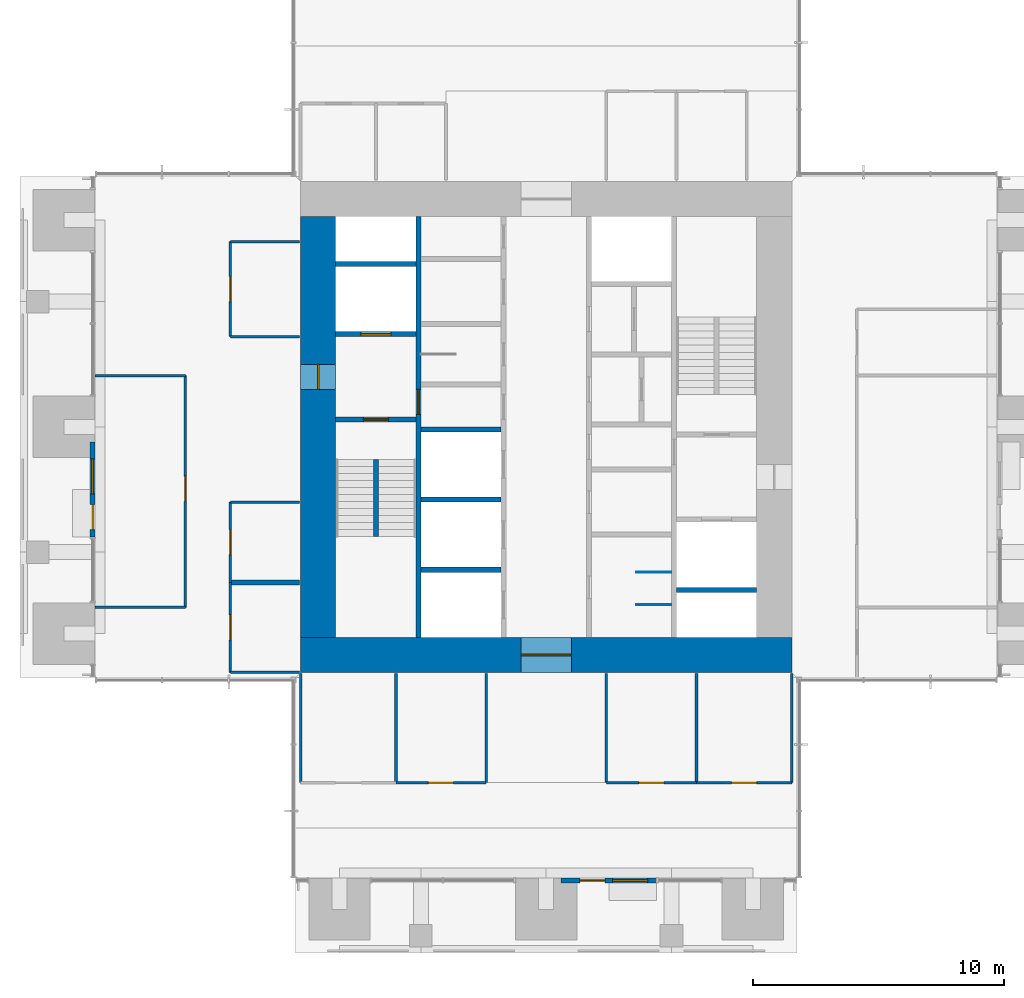
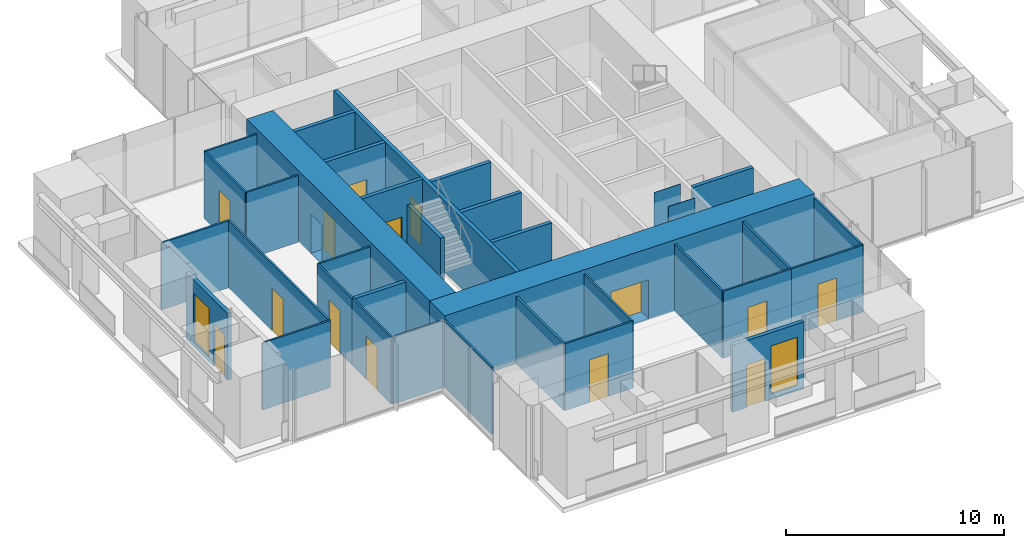
# One storey, part 12 of 17: 35 walls, 14 doors, 2 windows, 16 openings.
"""IFC4 building model written with IfcOpenShell, lengths in metres."""

from ifc_helpers import new_model, si_unit, direction, frame, frame_2d, origin, place, context, subcontext, project, spatial, rectangle, extrude, material, layer, layer_set, type_object, element, fill, save


model = new_model("IFC4")

# Units and contexts
model_context = context("Model", 3, precision=1e-05, world=origin(), true_north=direction((0.0, 1.0)))
body_context = subcontext(model_context, "Body", "Model", "MODEL_VIEW")
ifc_project = project(units=[si_unit("LENGTHUNIT", "METRE"), si_unit("AREAUNIT", "SQUARE_METRE"), si_unit("VOLUMEUNIT", "CUBIC_METRE"), si_unit("PLANEANGLEUNIT", "RADIAN"), si_unit("MASSUNIT", "GRAM", prefix="KILO")], contexts=[model_context])

# Site, building, storey
site_placement = place(None, origin())
site = spatial("IfcSite", under=ifc_project, at=site_placement, CompositionType="ELEMENT")
building_placement = place(site_placement, origin())
building = spatial("IfcBuilding", under=site, at=building_placement, Name="Svetlomir Tower", CompositionType="ELEMENT")
storey_placement = place(building_placement, frame((0.0, 0.0, 202.5)))
storey = spatial("IfcBuildingStorey", under=building, at=storey_placement, Name="L48", CompositionType="ELEMENT", Elevation=202.5)

# Wall
ifc_material_1 = material(Name="Gypsum board on twin steel studs", Category="steel")
ifc_layer_1 = layer(ifc_material_1, 0.199951171875)
ifc_layer_set_1 = layer_set([ifc_layer_1], Name="Gypsum board on twin steel studs")
wall_type_1 = type_object("IfcWallType", Name="ACOUSTIC PARTITION 200", PredefinedType="PARTITIONING", material=ifc_layer_set_1)
wall_1_placement = place(storey_placement, frame((8.39990234375, 14.800048828125, 0.0), z_axis=(0.0, 0.0, 1.0), x_axis=(1.0, 0.0, 0.0)))
element("IfcWall", 1, at=wall_1_placement, inside=storey, type_object=wall_type_1, Name="Acoustic partition L48", PredefinedType="PARTITIONING", context=body_context, shape_type="SweptSolid", body=[
    extrude(rectangle(XDim=2.75, YDim=0.199951171875, at=frame_2d((1.375, 0.0))), origin(), (0.0, 0.0, 1.0), 3.75),
])

# Wall, openings, door, window
ifc_material_2 = material(Name="Bronze anodised aluminium glazed screen", Category="aluminium")
ifc_layer_2 = layer(ifc_material_2, 0.199951171875)
ifc_layer_set_2 = layer_set([ifc_layer_2], Name="Bronze anodised aluminium glazed screen")
wall_type_2 = type_object("IfcWallType", Name="BALCONY SCREEN WALL 200", PredefinedType="USERDEFINED", material=ifc_layer_set_2)
wall_2_placement = place(storey_placement, frame((21.60009765625, 2.89990234375, 0.0), z_axis=(0.0, 0.0, 1.0), x_axis=(1.0, 0.0, 0.0)))
wall_2 = element("IfcWall", 2, at=wall_2_placement, inside=storey, type_object=wall_type_2, Name="Balcony screen S", ObjectType="GLAZED SCREEN", PredefinedType="USERDEFINED", context=body_context, shape_type="SweptSolid", body=[
    extrude(rectangle(XDim=3.7998046875, YDim=0.199951171875, at=frame_2d((1.89990234375, 0.0))), origin(), (0.0, 0.0, 1.0), 3.75),
])
opening_1_placement = place(wall_2_placement, frame((0.75, 0.0, 0.0)))
opening_1 = element("IfcOpeningElement", 3, at=opening_1_placement, cuts=wall_2, Name="Opening BD", PredefinedType="OPENING", context=body_context, shape_type="SweptSolid", body=[
    extrude(rectangle(XDim=1.0, YDim=2.39990234375, at=frame_2d((0.5, 1.199951171875))), frame((0.0, 0.10986328125, 0.0), z_axis=(0.0, -1.0, 0.0), x_axis=(1.0, 0.0, 0.0)), (0.0, 0.0, 1.0), 0.219970703125),
])
opening_2_placement = place(wall_2_placement, frame((2.050048828125, 0.0, 0.300048828125)))
opening_2 = element("IfcOpeningElement", 4, at=opening_2_placement, cuts=wall_2, Name="Opening WS2", PredefinedType="OPENING", context=body_context, shape_type="SweptSolid", body=[
    extrude(rectangle(XDim=1.39990234375, YDim=2.699951171875, at=frame_2d((0.699951171875, 1.35009765625))), frame((0.0, 0.10986328125, 0.0), z_axis=(0.0, -1.0, 0.0), x_axis=(1.0, 0.0, 0.0)), (0.0, 0.0, 1.0), 0.219970703125),
])
ifc_material_3 = material(Name="Bronze anodised aluminium glazed door", Category="aluminium")
door_type_1 = type_object("IfcDoorType", Name="BALCONY DOOR BD 1000x2400", OperationType="SINGLE_SWING_LEFT", PredefinedType="DOOR", material=ifc_material_3)
door_1_placement = place(opening_1_placement, origin())
door_1 = element("IfcDoor", 5, at=door_1_placement, inside=storey, type_object=door_type_1, Name="Balcony screen S door", OperationType="SINGLE_SWING_LEFT", OverallHeight=2.39990234375, OverallWidth=1.0, PredefinedType="DOOR", context=body_context, shape_type="SweptSolid", body=[
    extrude(rectangle(XDim=1.0, YDim=2.39990234375, at=frame_2d((0.5, 1.199951171875))), frame((0.0, 0.02490234375, 0.0), z_axis=(0.0, -1.0, 0.0), x_axis=(1.0, 0.0, 0.0)), (0.0, 0.0, 1.0), 0.050048828125),
])
fill(opening_1, door_1)
ifc_material_4 = material(Name="Bronze anodised aluminium window", Category="aluminium")
window_type = type_object("IfcWindowType", Name="SCREEN WINDOW WS2 1400x2700", PartitioningType="SINGLE_PANEL", PredefinedType="WINDOW", material=ifc_material_4)
window_1_placement = place(opening_2_placement, origin())
window_1 = element("IfcWindow", 6, at=window_1_placement, inside=storey, type_object=window_type, Name="Balcony screen S window 1", OverallHeight=2.699951171875, OverallWidth=1.39990234375, PartitioningType="SINGLE_PANEL", PredefinedType="WINDOW", context=body_context, shape_type="SweptSolid", body=[
    extrude(rectangle(XDim=1.39990234375, YDim=2.699951171875, at=frame_2d((0.699951171875, 1.35009765625))), frame((0.0, 0.030029296875, 0.0), z_axis=(0.0, -1.0, 0.0), x_axis=(1.0, 0.0, 0.0)), (0.0, 0.0, 1.0), 0.06005859375),
])
fill(opening_2, window_1)

wall_3_placement = place(storey_placement, frame((2.89990234375, 20.39990234375, 0.0), z_axis=(0.0, 0.0, 1.0), x_axis=(0.0, -1.0, 0.0)))
wall_3 = element("IfcWall", 7, at=wall_3_placement, inside=storey, type_object=wall_type_2, Name="Balcony screen W", ObjectType="GLAZED SCREEN", PredefinedType="USERDEFINED", context=body_context, shape_type="SweptSolid", body=[
    extrude(rectangle(XDim=3.7998046875, YDim=0.199951171875, at=frame_2d((1.89990234375, 0.0))), origin(), (0.0, 0.0, 1.0), 3.75),
])
opening_3_placement = place(wall_3_placement, frame((2.5, 0.0, 0.0)))
opening_3 = element("IfcOpeningElement", 8, at=opening_3_placement, cuts=wall_3, Name="Opening BD", PredefinedType="OPENING", context=body_context, shape_type="SweptSolid", body=[
    extrude(rectangle(XDim=1.0, YDim=2.39990234375, at=frame_2d((0.5, 1.199951171875))), frame((0.0, 0.10986328125, 0.0), z_axis=(0.0, -1.0, 0.0), x_axis=(1.0, 0.0, 0.0)), (0.0, 0.0, 1.0), 0.219970703125),
])
opening_4_placement = place(wall_3_placement, frame((0.675048828125, 0.0, 0.300048828125)))
opening_4 = element("IfcOpeningElement", 9, at=opening_4_placement, cuts=wall_3, Name="Opening WS2", PredefinedType="OPENING", context=body_context, shape_type="SweptSolid", body=[
    extrude(rectangle(XDim=1.39990234375, YDim=2.699951171875, at=frame_2d((0.699951171875, 1.35009765625))), frame((0.0, 0.10986328125, 0.0), z_axis=(0.0, -1.0, 0.0), x_axis=(1.0, 0.0, 0.0)), (0.0, 0.0, 1.0), 0.219970703125),
])
door_2_placement = place(opening_3_placement, origin())
door_2 = element("IfcDoor", 10, at=door_2_placement, inside=storey, type_object=door_type_1, Name="Balcony screen W door", OperationType="SINGLE_SWING_LEFT", OverallHeight=2.39990234375, OverallWidth=1.0, PredefinedType="DOOR", context=body_context, shape_type="SweptSolid", body=[
    extrude(rectangle(XDim=1.0, YDim=2.39990234375, at=frame_2d((0.5, 1.199951171875))), frame((0.0, 0.02490234375, 0.0), z_axis=(0.0, -1.0, 0.0), x_axis=(1.0, 0.0, 0.0)), (0.0, 0.0, 1.0), 0.050048828125),
])
fill(opening_3, door_2)
window_2_placement = place(opening_4_placement, origin())
window_2 = element("IfcWindow", 11, at=window_2_placement, inside=storey, type_object=window_type, Name="Balcony screen W window 1", OverallHeight=2.699951171875, OverallWidth=1.39990234375, PartitioningType="SINGLE_PANEL", PredefinedType="WINDOW", context=body_context, shape_type="SweptSolid", body=[
    extrude(rectangle(XDim=1.39990234375, YDim=2.699951171875, at=frame_2d((0.699951171875, 1.35009765625))), frame((0.0, 0.030029296875, 0.0), z_axis=(0.0, -1.0, 0.0), x_axis=(1.0, 0.0, 0.0)), (0.0, 0.0, 1.0), 0.06005859375),
])
fill(opening_4, window_2)

# Wall, opening, door
ifc_material_5 = material(Name="Concrete C60/75", Category="concrete")
ifc_layer_3 = layer(ifc_material_5, 0.199951171875)
ifc_layer_set_3 = layer_set([ifc_layer_3], Name="Concrete C60/75")
wall_type_3 = type_object("IfcWallType", Name="CORE INNER WALL 200", PredefinedType="SHEAR", material=ifc_layer_set_3)
wall_4_placement = place(storey_placement, frame((15.89990234375, 12.60009765625, -0.050048828125), z_axis=(0.0, 0.0, 1.0), x_axis=(0.0, 1.0, 0.0)))
wall_4 = element("IfcWall", 12, at=wall_4_placement, inside=storey, type_object=wall_type_3, Name="Core inner wall 15.9 L48", PredefinedType="SHEAR", context=body_context, shape_type="SweptSolid", body=[
    extrude(rectangle(XDim=16.7998046875, YDim=0.199951171875, at=frame_2d((8.39990234375, 0.0))), origin(), (0.0, 0.0, 1.0), 4.0),
])
opening_5_placement = place(wall_4_placement, frame((8.89990234375, 0.0, 0.050048828125)))
opening_5 = element("IfcOpeningElement", 13, at=opening_5_placement, cuts=wall_4, Name="Opening DF", PredefinedType="OPENING", context=body_context, shape_type="SweptSolid", body=[
    extrude(rectangle(XDim=1.0, YDim=2.199951171875, at=frame_2d((0.5, 1.10009765625))), frame((0.0, 0.10986328125, 0.0), z_axis=(0.0, -1.0, 0.0), x_axis=(1.0, 0.0, 0.0)), (0.0, 0.0, 1.0), 0.219970703125),
])
ifc_material_6 = material(Name="Steel fire door", Category="steel")
door_type_2 = type_object("IfcDoorType", Name="DOOR DF 1000x2200", OperationType="SINGLE_SWING_LEFT", PredefinedType="DOOR", material=ifc_material_6)
door_3_placement = place(opening_5_placement, origin())
door_3 = element("IfcDoor", 14, at=door_3_placement, inside=storey, type_object=door_type_2, Name="Core corridor west door L48", OperationType="SINGLE_SWING_LEFT", OverallHeight=2.199951171875, OverallWidth=1.0, PredefinedType="DOOR", context=body_context, shape_type="SweptSolid", body=[
    extrude(rectangle(XDim=1.0, YDim=2.199951171875, at=frame_2d((0.5, 1.10009765625))), frame((0.0, 0.02490234375, 0.0), z_axis=(0.0, -1.0, 0.0), x_axis=(1.0, 0.0, 0.0)), (0.0, 0.0, 1.0), 0.050048828125),
])
fill(opening_5, door_3)

wall_5_placement = place(storey_placement, frame((12.60009765625, 21.300048828125, -0.050048828125), z_axis=(0.0, 0.0, 1.0), x_axis=(1.0, 0.0, 0.0)))
wall_5 = element("IfcWall", 15, at=wall_5_placement, inside=storey, type_object=wall_type_3, Name="Core inner wall 12.6-15.8/21.3 L48", PredefinedType="SHEAR", context=body_context, shape_type="SweptSolid", body=[
    extrude(rectangle(XDim=3.199951171875, YDim=0.199951171875, at=frame_2d((1.60009765625, 0.0))), origin(), (0.0, 0.0, 1.0), 4.0),
])
opening_6_placement = place(wall_5_placement, frame((1.10009765625, 0.0, 0.050048828125)))
opening_6 = element("IfcOpeningElement", 16, at=opening_6_placement, cuts=wall_5, Name="Opening DF", PredefinedType="OPENING", context=body_context, shape_type="SweptSolid", body=[
    extrude(rectangle(XDim=1.0, YDim=2.199951171875, at=frame_2d((0.5, 1.10009765625))), frame((0.0, 0.10986328125, 0.0), z_axis=(0.0, -1.0, 0.0), x_axis=(1.0, 0.0, 0.0)), (0.0, 0.0, 1.0), 0.219970703125),
])
door_4_placement = place(opening_6_placement, origin())
door_4 = element("IfcDoor", 17, at=door_4_placement, inside=storey, type_object=door_type_2, Name="Stair S1 door L48", OperationType="SINGLE_SWING_LEFT", OverallHeight=2.199951171875, OverallWidth=1.0, PredefinedType="DOOR", context=body_context, shape_type="SweptSolid", body=[
    extrude(rectangle(XDim=1.0, YDim=2.199951171875, at=frame_2d((0.5, 1.10009765625))), frame((0.0, 0.02490234375, 0.0), z_axis=(0.0, -1.0, 0.0), x_axis=(1.0, 0.0, 0.0)), (0.0, 0.0, 1.0), 0.050048828125),
])
fill(opening_6, door_4)

wall_6_placement = place(storey_placement, frame((12.60009765625, 24.699951171875, -0.050048828125), z_axis=(0.0, 0.0, 1.0), x_axis=(1.0, 0.0, 0.0)))
wall_6 = element("IfcWall", 18, at=wall_6_placement, inside=storey, type_object=wall_type_3, Name="Core inner wall 12.6-15.8/24.7 L48", PredefinedType="SHEAR", context=body_context, shape_type="SweptSolid", body=[
    extrude(rectangle(XDim=3.199951171875, YDim=0.199951171875, at=frame_2d((1.60009765625, 0.0))), origin(), (0.0, 0.0, 1.0), 4.0),
])
opening_7_placement = place(wall_6_placement, frame((1.0, 0.0, 0.050048828125)))
opening_7 = element("IfcOpeningElement", 19, at=opening_7_placement, cuts=wall_6, Name="Opening LD3", PredefinedType="OPENING", context=body_context, shape_type="SweptSolid", body=[
    extrude(rectangle(XDim=1.199951171875, YDim=2.199951171875, at=frame_2d((0.60009765625, 1.10009765625))), frame((0.0, 0.10986328125, 0.0), z_axis=(0.0, -1.0, 0.0), x_axis=(1.0, 0.0, 0.0)), (0.0, 0.0, 1.0), 0.219970703125),
])
ifc_material_7 = material(Name="Stainless steel fire-rated landing door", Category="steel")
door_type_3 = type_object("IfcDoorType", Name="FIREFIGHTING LIFT LANDING DOOR LD3 1200x2200", OperationType="DOUBLE_DOOR_SLIDING", PredefinedType="DOOR", material=ifc_material_7)
door_5_placement = place(opening_7_placement, origin())
door_5 = element("IfcDoor", 20, at=door_5_placement, inside=storey, type_object=door_type_3, Name="Landing door lift FL1 L48", OperationType="DOUBLE_DOOR_SLIDING", OverallHeight=2.199951171875, OverallWidth=1.199951171875, PredefinedType="DOOR", context=body_context, shape_type="SweptSolid", body=[
    extrude(rectangle(XDim=1.199951171875, YDim=2.199951171875, at=frame_2d((0.60009765625, 1.10009765625))), frame((0.0, 0.02490234375, 0.0), z_axis=(0.0, -1.0, 0.0), x_axis=(1.0, 0.0, 0.0)), (0.0, 0.0, 1.0), 0.050048828125),
])
fill(opening_7, door_5)

# Walls
for number, where, z_axis, x_axis, name in (
    (21, (12.60009765625, 27.5, -0.050048828125), (0.0, 0.0, 1.0), (1.0, 0.0, 0.0), "Core inner wall 12.6-15.8/27.5 L48"),
    (22, (16.0, 15.300048828125, -0.050048828125), (0.0, 0.0, 1.0), (1.0, 0.0, 0.0), "Core inner wall 16-19.2/15.3 L48"),
    (23, (16.0, 18.10009765625, -0.050048828125), (0.0, 0.0, 1.0), (1.0, 0.0, 0.0), "Core inner wall 16-19.2/18.1 L48"),
    (24, (16.0, 20.89990234375, -0.050048828125), (0.0, 0.0, 1.0), (1.0, 0.0, 0.0), "Core inner wall 16-19.2/20.9 L48"),
    (25, (26.199951171875, 14.5, -0.050048828125), (0.0, 0.0, 1.0), (1.0, 0.0, 0.0), "Core inner wall 26.2-29.4/14.5 L48"),
):
    element("IfcWall", number, at=place(storey_placement, frame(where, z_axis=z_axis, x_axis=x_axis)), inside=storey, type_object=wall_type_3, Name=name, PredefinedType="SHEAR", context=body_context, shape_type="SweptSolid", body=[
        extrude(rectangle(XDim=3.199951171875, YDim=0.199951171875, at=frame_2d((1.60009765625, 0.0))), origin(), (0.0, 0.0, 1.0), 4.0),
    ])

# Wall, opening, door
ifc_material_8 = material(Name="Concrete C60/75", Category="concrete")
ifc_layer_4 = layer(ifc_material_8, 1.39990234375)
ifc_layer_set_4 = layer_set([ifc_layer_4], Name="Concrete C60/75")
wall_type_4 = type_object("IfcWallType", Name="CORE WALL 1400", PredefinedType="SHEAR", material=ifc_layer_set_4)
wall_7_placement = place(storey_placement, frame((11.199951171875, 11.89990234375, -0.050048828125), z_axis=(0.0, 0.0, 1.0), x_axis=(1.0, 0.0, 0.0)))
wall_7 = element("IfcWall", 26, at=wall_7_placement, inside=storey, type_object=wall_type_4, Name="Core wall south L48", PredefinedType="SHEAR", context=body_context, shape_type="SweptSolid", body=[
    extrude(rectangle(XDim=19.60009765625, YDim=1.39990234375, at=frame_2d((9.800048828125, 0.0))), origin(), (0.0, 0.0, 1.0), 4.0),
])
opening_8_placement = place(wall_7_placement, frame((8.800048828125, 0.0, 0.050048828125)))
opening_8 = element("IfcOpeningElement", 27, at=opening_8_placement, cuts=wall_7, Name="Opening DL", PredefinedType="OPENING", context=body_context, shape_type="SweptSolid", body=[
    extrude(rectangle(XDim=2.0, YDim=2.199951171875, at=frame_2d((1.0, 1.10009765625))), frame((0.0, 0.7099609375, 0.0), z_axis=(0.0, -1.0, 0.0), x_axis=(1.0, 0.0, 0.0)), (0.0, 0.0, 1.0), 1.419921875),
])
ifc_material_9 = material(Name="Steel fire door", Category="steel")
door_type_4 = type_object("IfcDoorType", Name="DOOR DL 2000x2200", OperationType="DOUBLE_DOOR_SINGLE_SWING", PredefinedType="DOOR", material=ifc_material_9)
door_6_placement = place(opening_8_placement, origin())
door_6 = element("IfcDoor", 28, at=door_6_placement, inside=storey, type_object=door_type_4, Name="Lift lobby south door L48", OperationType="DOUBLE_DOOR_SINGLE_SWING", OverallHeight=2.199951171875, OverallWidth=2.0, PredefinedType="DOOR", context=body_context, shape_type="SweptSolid", body=[
    extrude(rectangle(XDim=2.0, YDim=2.199951171875, at=frame_2d((1.0, 1.10009765625))), frame((0.0, 0.02490234375, 0.0), z_axis=(0.0, -1.0, 0.0), x_axis=(1.0, 0.0, 0.0)), (0.0, 0.0, 1.0), 0.050048828125),
])
fill(opening_8, door_6)

wall_8_placement = place(storey_placement, frame((11.89990234375, 12.60009765625, -0.050048828125), z_axis=(0.0, 0.0, 1.0), x_axis=(0.0, 1.0, 0.0)))
wall_8 = element("IfcWall", 29, at=wall_8_placement, inside=storey, type_object=wall_type_4, Name="Core wall west L48", PredefinedType="SHEAR", context=body_context, shape_type="SweptSolid", body=[
    extrude(rectangle(XDim=16.7998046875, YDim=1.39990234375, at=frame_2d((8.39990234375, 0.0))), origin(), (0.0, 0.0, 1.0), 4.0),
])
opening_9_placement = place(wall_8_placement, frame((9.89990234375, 0.0, 0.050048828125)))
opening_9 = element("IfcOpeningElement", 30, at=opening_9_placement, cuts=wall_8, Name="Opening DF", PredefinedType="OPENING", context=body_context, shape_type="SweptSolid", body=[
    extrude(rectangle(XDim=1.0, YDim=2.199951171875, at=frame_2d((0.5, 1.10009765625))), frame((0.0, 0.7099609375, 0.0), z_axis=(0.0, -1.0, 0.0), x_axis=(1.0, 0.0, 0.0)), (0.0, 0.0, 1.0), 1.419921875),
])
door_7_placement = place(opening_9_placement, origin())
door_7 = element("IfcDoor", 31, at=door_7_placement, inside=storey, type_object=door_type_2, Name="Firefighting lobby west door L48", OperationType="SINGLE_SWING_LEFT", OverallHeight=2.199951171875, OverallWidth=1.0, PredefinedType="DOOR", context=body_context, shape_type="SweptSolid", body=[
    extrude(rectangle(XDim=1.0, YDim=2.199951171875, at=frame_2d((0.5, 1.10009765625))), frame((0.0, 0.02490234375, 0.0), z_axis=(0.0, -1.0, 0.0), x_axis=(1.0, 0.0, 0.0)), (0.0, 0.0, 1.0), 0.050048828125),
])
fill(opening_9, door_7)

# Walls
ifc_material_10 = material(Name="Framed laminated glass partition", Category="glass")
ifc_layer_5 = layer(ifc_material_10, 0.10009765625)
ifc_layer_set_5 = layer_set([ifc_layer_5], Name="Framed laminated glass partition")
wall_type_5 = type_object("IfcWallType", Name="GLAZED PARTITION 100", PredefinedType="PARTITIONING", material=ifc_layer_set_5)
for number, where, z_axis, x_axis, name in (
    (32, (3.0, 13.800048828125, 0.0), (0.0, 0.0, 1.0), (1.0, 0.0, 0.0), "Glazed partition L48"),
    (33, (3.0, 23.050048828125, 0.0), (0.0, 0.0, 1.0), (1.0, 0.0, 0.0), "Glazed partition L48"),
):
    element("IfcWall", number, at=place(storey_placement, frame(where, z_axis=z_axis, x_axis=x_axis)), inside=storey, type_object=wall_type_5, Name=name, PredefinedType="PARTITIONING", context=body_context, shape_type="SweptSolid", body=[
        extrude(rectangle(XDim=3.60009765625, YDim=0.10009765625, at=frame_2d((1.800048828125, 0.0))), origin(), (0.0, 0.0, 1.0), 3.75),
    ])

# Wall, opening, door
wall_9_placement = place(storey_placement, frame((6.60009765625, 13.800048828125, 0.0), z_axis=(0.0, 0.0, 1.0), x_axis=(0.0, 1.0, 0.0)))
wall_9 = element("IfcWall", 34, at=wall_9_placement, inside=storey, type_object=wall_type_5, Name="Glazed partition L48", PredefinedType="PARTITIONING", context=body_context, shape_type="SweptSolid", body=[
    extrude(rectangle(XDim=9.25, YDim=0.10009765625, at=frame_2d((4.625, 0.0))), origin(), (0.0, 0.0, 1.0), 3.75),
])
opening_10_placement = place(wall_9_placement, frame((4.22509765625, 0.0, 0.0)))
opening_10 = element("IfcOpeningElement", 35, at=opening_10_placement, cuts=wall_9, Name="Opening DG", PredefinedType="OPENING", context=body_context, shape_type="SweptSolid", body=[
    extrude(rectangle(XDim=1.0, YDim=2.39990234375, at=frame_2d((0.5, 1.199951171875))), frame((0.0, 0.06005859375, 0.0), z_axis=(0.0, -1.0, 0.0), x_axis=(1.0, 0.0, 0.0)), (0.0, 0.0, 1.0), 0.1201171875),
])
ifc_material_11 = material(Name="Framed laminated glass door", Category="glass")
door_type_5 = type_object("IfcDoorType", Name="GLAZED DOOR DG 1000x2400", OperationType="SINGLE_SWING_LEFT", PredefinedType="DOOR", material=ifc_material_11)
door_8_placement = place(opening_10_placement, origin())
door_8 = element("IfcDoor", 36, at=door_8_placement, inside=storey, type_object=door_type_5, Name="Loggia break-out and kitchenette door L48", OperationType="SINGLE_SWING_LEFT", OverallHeight=2.39990234375, OverallWidth=1.0, PredefinedType="DOOR", context=body_context, shape_type="SweptSolid", body=[
    extrude(rectangle(XDim=1.0, YDim=2.39990234375, at=frame_2d((0.5, 1.199951171875))), frame((0.0, 0.02490234375, 0.0), z_axis=(0.0, -1.0, 0.0), x_axis=(1.0, 0.0, 0.0)), (0.0, 0.0, 1.0), 0.050048828125),
])
fill(opening_10, door_8)

wall_10_placement = place(storey_placement, frame((8.39990234375, 11.199951171875, 0.0), z_axis=(0.0, 0.0, 1.0), x_axis=(0.0, 1.0, 0.0)))
wall_10 = element("IfcWall", 37, at=wall_10_placement, inside=storey, type_object=wall_type_5, Name="Glazed partition L48", PredefinedType="PARTITIONING", context=body_context, shape_type="SweptSolid", body=[
    extrude(rectangle(XDim=3.60009765625, YDim=0.10009765625, at=frame_2d((1.800048828125, 0.0))), origin(), (0.0, 0.0, 1.0), 3.75),
])
opening_11_placement = place(wall_10_placement, frame((1.300048828125, 0.0, 0.0)))
opening_11 = element("IfcOpeningElement", 38, at=opening_11_placement, cuts=wall_10, Name="Opening DG", PredefinedType="OPENING", context=body_context, shape_type="SweptSolid", body=[
    extrude(rectangle(XDim=1.0, YDim=2.39990234375, at=frame_2d((0.5, 1.199951171875))), frame((0.0, 0.06005859375, 0.0), z_axis=(0.0, -1.0, 0.0), x_axis=(1.0, 0.0, 0.0)), (0.0, 0.0, 1.0), 0.1201171875),
])
door_9_placement = place(opening_11_placement, origin())
door_9 = element("IfcDoor", 39, at=door_9_placement, inside=storey, type_object=door_type_5, Name="Meeting room, 6 seats door L48", OperationType="SINGLE_SWING_RIGHT", OverallHeight=2.39990234375, OverallWidth=1.0, PredefinedType="DOOR", context=body_context, shape_type="SweptSolid", body=[
    extrude(rectangle(XDim=1.0, YDim=2.39990234375, at=frame_2d((0.5, 1.199951171875))), frame((0.0, 0.02490234375, 0.0), z_axis=(0.0, -1.0, 0.0), x_axis=(1.0, 0.0, 0.0)), (0.0, 0.0, 1.0), 0.050048828125),
])
fill(opening_11, door_9)

# Wall
wall_11_placement = place(storey_placement, frame((8.39990234375, 11.199951171875, 0.0), z_axis=(0.0, 0.0, 1.0), x_axis=(1.0, 0.0, 0.0)))
element("IfcWall", 40, at=wall_11_placement, inside=storey, type_object=wall_type_5, Name="Glazed partition L48", PredefinedType="PARTITIONING", context=body_context, shape_type="SweptSolid", body=[
    extrude(rectangle(XDim=2.75, YDim=0.10009765625, at=frame_2d((1.375, 0.0))), origin(), (0.0, 0.0, 1.0), 3.75),
])

# Wall, opening, door
wall_12_placement = place(storey_placement, frame((8.39990234375, 14.800048828125, 0.0), z_axis=(0.0, 0.0, 1.0), x_axis=(0.0, 1.0, 0.0)))
wall_12 = element("IfcWall", 41, at=wall_12_placement, inside=storey, type_object=wall_type_5, Name="Glazed partition L48", PredefinedType="PARTITIONING", context=body_context, shape_type="SweptSolid", body=[
    extrude(rectangle(XDim=3.199951171875, YDim=0.10009765625, at=frame_2d((1.60009765625, 0.0))), origin(), (0.0, 0.0, 1.0), 3.75),
])
opening_12_placement = place(wall_12_placement, frame((1.10009765625, 0.0, 0.0)))
opening_12 = element("IfcOpeningElement", 42, at=opening_12_placement, cuts=wall_12, Name="Opening DG", PredefinedType="OPENING", context=body_context, shape_type="SweptSolid", body=[
    extrude(rectangle(XDim=1.0, YDim=2.39990234375, at=frame_2d((0.5, 1.199951171875))), frame((0.0, 0.06005859375, 0.0), z_axis=(0.0, -1.0, 0.0), x_axis=(1.0, 0.0, 0.0)), (0.0, 0.0, 1.0), 0.1201171875),
])
door_10_placement = place(opening_12_placement, origin())
door_10 = element("IfcDoor", 43, at=door_10_placement, inside=storey, type_object=door_type_5, Name="Meeting room, 4 seats door L48", OperationType="SINGLE_SWING_RIGHT", OverallHeight=2.39990234375, OverallWidth=1.0, PredefinedType="DOOR", context=body_context, shape_type="SweptSolid", body=[
    extrude(rectangle(XDim=1.0, YDim=2.39990234375, at=frame_2d((0.5, 1.199951171875))), frame((0.0, 0.02490234375, 0.0), z_axis=(0.0, -1.0, 0.0), x_axis=(1.0, 0.0, 0.0)), (0.0, 0.0, 1.0), 0.050048828125),
])
fill(opening_12, door_10)

# Wall
wall_13_placement = place(storey_placement, frame((8.39990234375, 18.0, 0.0), z_axis=(0.0, 0.0, 1.0), x_axis=(1.0, 0.0, 0.0)))
element("IfcWall", 44, at=wall_13_placement, inside=storey, type_object=wall_type_5, Name="Glazed partition L48", PredefinedType="PARTITIONING", context=body_context, shape_type="SweptSolid", body=[
    extrude(rectangle(XDim=2.75, YDim=0.10009765625, at=frame_2d((1.375, 0.0))), origin(), (0.0, 0.0, 1.0), 3.75),
])

# Wall, opening, door
wall_14_placement = place(storey_placement, frame((8.39990234375, 24.60009765625, 0.0), z_axis=(0.0, 0.0, 1.0), x_axis=(0.0, 1.0, 0.0)))
wall_14 = element("IfcWall", 45, at=wall_14_placement, inside=storey, type_object=wall_type_5, Name="Glazed partition L48", PredefinedType="PARTITIONING", context=body_context, shape_type="SweptSolid", body=[
    extrude(rectangle(XDim=3.7998046875, YDim=0.10009765625, at=frame_2d((1.89990234375, 0.0))), origin(), (0.0, 0.0, 1.0), 3.75),
])
opening_13_placement = place(wall_14_placement, frame((1.39990234375, 0.0, 0.0)))
opening_13 = element("IfcOpeningElement", 46, at=opening_13_placement, cuts=wall_14, Name="Opening DG", PredefinedType="OPENING", context=body_context, shape_type="SweptSolid", body=[
    extrude(rectangle(XDim=1.0, YDim=2.39990234375, at=frame_2d((0.5, 1.199951171875))), frame((0.0, 0.06005859375, 0.0), z_axis=(0.0, -1.0, 0.0), x_axis=(1.0, 0.0, 0.0)), (0.0, 0.0, 1.0), 0.1201171875),
])
door_11_placement = place(opening_13_placement, origin())
door_11 = element("IfcDoor", 47, at=door_11_placement, inside=storey, type_object=door_type_5, Name="Release war room door L48", OperationType="SINGLE_SWING_LEFT", OverallHeight=2.39990234375, OverallWidth=1.0, PredefinedType="DOOR", context=body_context, shape_type="SweptSolid", body=[
    extrude(rectangle(XDim=1.0, YDim=2.39990234375, at=frame_2d((0.5, 1.199951171875))), frame((0.0, 0.02490234375, 0.0), z_axis=(0.0, -1.0, 0.0), x_axis=(1.0, 0.0, 0.0)), (0.0, 0.0, 1.0), 0.050048828125),
])
fill(opening_13, door_11)

# Walls
for number, where, z_axis, x_axis, name in (
    (48, (8.39990234375, 24.60009765625, 0.0), (0.0, 0.0, 1.0), (1.0, 0.0, 0.0), "Glazed partition L48"),
    (49, (8.39990234375, 28.39990234375, 0.0), (0.0, 0.0, 1.0), (1.0, 0.0, 0.0), "Glazed partition L48"),
):
    element("IfcWall", number, at=place(storey_placement, frame(where, z_axis=z_axis, x_axis=x_axis)), inside=storey, type_object=wall_type_5, Name=name, PredefinedType="PARTITIONING", context=body_context, shape_type="SweptSolid", body=[
        extrude(rectangle(XDim=2.75, YDim=0.10009765625, at=frame_2d((1.375, 0.0))), origin(), (0.0, 0.0, 1.0), 3.75),
    ])
wall_15_placement = place(storey_placement, frame((11.199951171875, 6.800048828125, 0.0), z_axis=(0.0, 0.0, 1.0), x_axis=(0.0, 1.0, 0.0)))
element("IfcWall", 50, at=wall_15_placement, inside=storey, type_object=wall_type_5, Name="Glazed partition L48", PredefinedType="PARTITIONING", context=body_context, shape_type="SweptSolid", body=[
    extrude(rectangle(XDim=4.349853515625, YDim=0.10009765625, at=frame_2d((2.1748046875, 0.0))), origin(), (0.0, 0.0, 1.0), 3.75),
])

# Wall, opening, door
wall_16_placement = place(storey_placement, frame((15.0, 6.800048828125, 0.0), z_axis=(0.0, 0.0, 1.0), x_axis=(1.0, 0.0, 0.0)))
wall_16 = element("IfcWall", 51, at=wall_16_placement, inside=storey, type_object=wall_type_5, Name="Glazed partition L48", PredefinedType="PARTITIONING", context=body_context, shape_type="SweptSolid", body=[
    extrude(rectangle(XDim=3.60009765625, YDim=0.10009765625, at=frame_2d((1.800048828125, 0.0))), origin(), (0.0, 0.0, 1.0), 3.75),
])
opening_14_placement = place(wall_16_placement, frame((1.300048828125, 0.0, 0.0)))
opening_14 = element("IfcOpeningElement", 52, at=opening_14_placement, cuts=wall_16, Name="Opening DG", PredefinedType="OPENING", context=body_context, shape_type="SweptSolid", body=[
    extrude(rectangle(XDim=1.0, YDim=2.39990234375, at=frame_2d((0.5, 1.199951171875))), frame((0.0, 0.06005859375, 0.0), z_axis=(0.0, -1.0, 0.0), x_axis=(1.0, 0.0, 0.0)), (0.0, 0.0, 1.0), 0.1201171875),
])
door_12_placement = place(opening_14_placement, origin())
door_12 = element("IfcDoor", 53, at=door_12_placement, inside=storey, type_object=door_type_5, Name="Squad room 2 door L48", OperationType="SINGLE_SWING_LEFT", OverallHeight=2.39990234375, OverallWidth=1.0, PredefinedType="DOOR", context=body_context, shape_type="SweptSolid", body=[
    extrude(rectangle(XDim=1.0, YDim=2.39990234375, at=frame_2d((0.5, 1.199951171875))), frame((0.0, 0.02490234375, 0.0), z_axis=(0.0, -1.0, 0.0), x_axis=(1.0, 0.0, 0.0)), (0.0, 0.0, 1.0), 0.050048828125),
])
fill(opening_14, door_12)

# Walls
for number, where, z_axis, x_axis, name in (
    (54, (18.60009765625, 6.800048828125, 0.0), (0.0, 0.0, 1.0), (0.0, 1.0, 0.0), "Glazed partition L48"),
    (55, (23.39990234375, 6.800048828125, 0.0), (0.0, 0.0, 1.0), (0.0, 1.0, 0.0), "Glazed partition L48"),
):
    element("IfcWall", number, at=place(storey_placement, frame(where, z_axis=z_axis, x_axis=x_axis)), inside=storey, type_object=wall_type_5, Name=name, PredefinedType="PARTITIONING", context=body_context, shape_type="SweptSolid", body=[
        extrude(rectangle(XDim=4.349853515625, YDim=0.10009765625, at=frame_2d((2.1748046875, 0.0))), origin(), (0.0, 0.0, 1.0), 3.75),
    ])

# Wall, opening, door
wall_17_placement = place(storey_placement, frame((23.39990234375, 6.800048828125, 0.0), z_axis=(0.0, 0.0, 1.0), x_axis=(1.0, 0.0, 0.0)))
wall_17 = element("IfcWall", 56, at=wall_17_placement, inside=storey, type_object=wall_type_5, Name="Glazed partition L48", PredefinedType="PARTITIONING", context=body_context, shape_type="SweptSolid", body=[
    extrude(rectangle(XDim=3.60009765625, YDim=0.10009765625, at=frame_2d((1.800048828125, 0.0))), origin(), (0.0, 0.0, 1.0), 3.75),
])
opening_15_placement = place(wall_17_placement, frame((1.300048828125, 0.0, 0.0)))
opening_15 = element("IfcOpeningElement", 57, at=opening_15_placement, cuts=wall_17, Name="Opening DG", PredefinedType="OPENING", context=body_context, shape_type="SweptSolid", body=[
    extrude(rectangle(XDim=1.0, YDim=2.39990234375, at=frame_2d((0.5, 1.199951171875))), frame((0.0, 0.06005859375, 0.0), z_axis=(0.0, -1.0, 0.0), x_axis=(1.0, 0.0, 0.0)), (0.0, 0.0, 1.0), 0.1201171875),
])
door_13_placement = place(opening_15_placement, origin())
door_13 = element("IfcDoor", 58, at=door_13_placement, inside=storey, type_object=door_type_5, Name="Squad room 3 door L48", OperationType="SINGLE_SWING_RIGHT", OverallHeight=2.39990234375, OverallWidth=1.0, PredefinedType="DOOR", context=body_context, shape_type="SweptSolid", body=[
    extrude(rectangle(XDim=1.0, YDim=2.39990234375, at=frame_2d((0.5, 1.199951171875))), frame((0.0, 0.02490234375, 0.0), z_axis=(0.0, -1.0, 0.0), x_axis=(1.0, 0.0, 0.0)), (0.0, 0.0, 1.0), 0.050048828125),
])
fill(opening_15, door_13)

wall_18_placement = place(storey_placement, frame((27.0, 6.800048828125, 0.0), z_axis=(0.0, 0.0, 1.0), x_axis=(1.0, 0.0, 0.0)))
wall_18 = element("IfcWall", 59, at=wall_18_placement, inside=storey, type_object=wall_type_5, Name="Glazed partition L48", PredefinedType="PARTITIONING", context=body_context, shape_type="SweptSolid", body=[
    extrude(rectangle(XDim=3.800048828125, YDim=0.10009765625, at=frame_2d((1.89990234375, 0.0))), origin(), (0.0, 0.0, 1.0), 3.75),
])
opening_16_placement = place(wall_18_placement, frame((1.39990234375, 0.0, 0.0)))
opening_16 = element("IfcOpeningElement", 60, at=opening_16_placement, cuts=wall_18, Name="Opening DG", PredefinedType="OPENING", context=body_context, shape_type="SweptSolid", body=[
    extrude(rectangle(XDim=1.0, YDim=2.39990234375, at=frame_2d((0.5, 1.199951171875))), frame((0.0, 0.06005859375, 0.0), z_axis=(0.0, -1.0, 0.0), x_axis=(1.0, 0.0, 0.0)), (0.0, 0.0, 1.0), 0.1201171875),
])
door_14_placement = place(opening_16_placement, origin())
door_14 = element("IfcDoor", 61, at=door_14_placement, inside=storey, type_object=door_type_5, Name="Squad room 4 door L48", OperationType="SINGLE_SWING_LEFT", OverallHeight=2.39990234375, OverallWidth=1.0, PredefinedType="DOOR", context=body_context, shape_type="SweptSolid", body=[
    extrude(rectangle(XDim=1.0, YDim=2.39990234375, at=frame_2d((0.5, 1.199951171875))), frame((0.0, 0.02490234375, 0.0), z_axis=(0.0, -1.0, 0.0), x_axis=(1.0, 0.0, 0.0)), (0.0, 0.0, 1.0), 0.050048828125),
])
fill(opening_16, door_14)

# Walls
wall_19_placement = place(storey_placement, frame((30.800048828125, 6.800048828125, 0.0), z_axis=(0.0, 0.0, 1.0), x_axis=(0.0, 1.0, 0.0)))
element("IfcWall", 62, at=wall_19_placement, inside=storey, type_object=wall_type_5, Name="Glazed partition L48", PredefinedType="PARTITIONING", context=body_context, shape_type="SweptSolid", body=[
    extrude(rectangle(XDim=4.349853515625, YDim=0.10009765625, at=frame_2d((2.1748046875, 0.0))), origin(), (0.0, 0.0, 1.0), 3.75),
])
ifc_material_12 = material(Name="Gypsum board on steel studs", Category="steel")
ifc_layer_6 = layer(ifc_material_12, 0.1201171875)
ifc_layer_set_6 = layer_set([ifc_layer_6], Name="Gypsum board on steel studs")
wall_type_6 = type_object("IfcWallType", Name="PARTITION 120", PredefinedType="PARTITIONING", material=ifc_layer_set_6)
for number, where, z_axis, x_axis, name in (
    (63, (15.0, 6.800048828125, 0.0), (0.0, 0.0, 1.0), (0.0, 1.0, 0.0), "Partition L48"),
    (64, (27.0, 6.800048828125, 0.0), (0.0, 0.0, 1.0), (0.0, 1.0, 0.0), "Partition L48"),
):
    element("IfcWall", number, at=place(storey_placement, frame(where, z_axis=z_axis, x_axis=x_axis)), inside=storey, type_object=wall_type_6, Name=name, PredefinedType="PARTITIONING", context=body_context, shape_type="SweptSolid", body=[
        extrude(rectangle(XDim=4.349853515625, YDim=0.1201171875, at=frame_2d((2.1748046875, 0.0))), origin(), (0.0, 0.0, 1.0), 3.75),
    ])
ifc_material_13 = material(Name="Concrete C60/75", Category="concrete")
ifc_layer_7 = layer(ifc_material_13, 0.199951171875)
ifc_layer_set_7 = layer_set([ifc_layer_7], Name="Concrete C60/75")
wall_type_7 = type_object("IfcWallType", Name="STAIR SPINE WALL 200", PredefinedType="PARTITIONING", material=ifc_layer_set_7)
wall_20_placement = place(storey_placement, frame((14.199951171875, 16.6201171875, 0.0), z_axis=(0.0, 0.0, 1.0), x_axis=(0.0, 1.0, 0.0)))
element("IfcWall", 65, at=wall_20_placement, inside=storey, type_object=wall_type_7, Name="Stair S1 spine wall L48", PredefinedType="PARTITIONING", context=body_context, shape_type="SweptSolid", body=[
    extrude(rectangle(XDim=3.079833984375, YDim=0.199951171875, at=frame_2d((1.5400390625, 0.0))), origin(), (0.0, 0.0, 1.0), 4.0),
])
ifc_material_14 = material(Name="Compact laminate panel", Category="plastic")
ifc_layer_8 = layer(ifc_material_14, 0.030029296875)
ifc_layer_set_8 = layer_set([ifc_layer_8], Name="Compact laminate panel")
wall_type_8 = type_object("IfcWallType", Name="WC CUBICLE PARTITION 30", PredefinedType="PARTITIONING", material=ifc_layer_set_8)
for number, where, z_axis, x_axis, name in (
    (66, (24.60009765625, 13.89990234375, 0.0), (0.0, 0.0, 1.0), (1.0, 0.0, 0.0), "WC cubicle partition L48"),
    (67, (24.60009765625, 15.199951171875, 0.0), (0.0, 0.0, 1.0), (1.0, 0.0, 0.0), "WC cubicle partition L48"),
):
    element("IfcWall", number, at=place(storey_placement, frame(where, z_axis=z_axis, x_axis=x_axis)), inside=storey, type_object=wall_type_8, Name=name, PredefinedType="PARTITIONING", context=body_context, shape_type="SweptSolid", body=[
        extrude(rectangle(XDim=1.39990234375, YDim=0.030029296875, at=frame_2d((0.699951171875, 0.0))), origin(), (0.0, 0.0, 1.0), 3.75),
    ])

save(model, "model.ifc")
